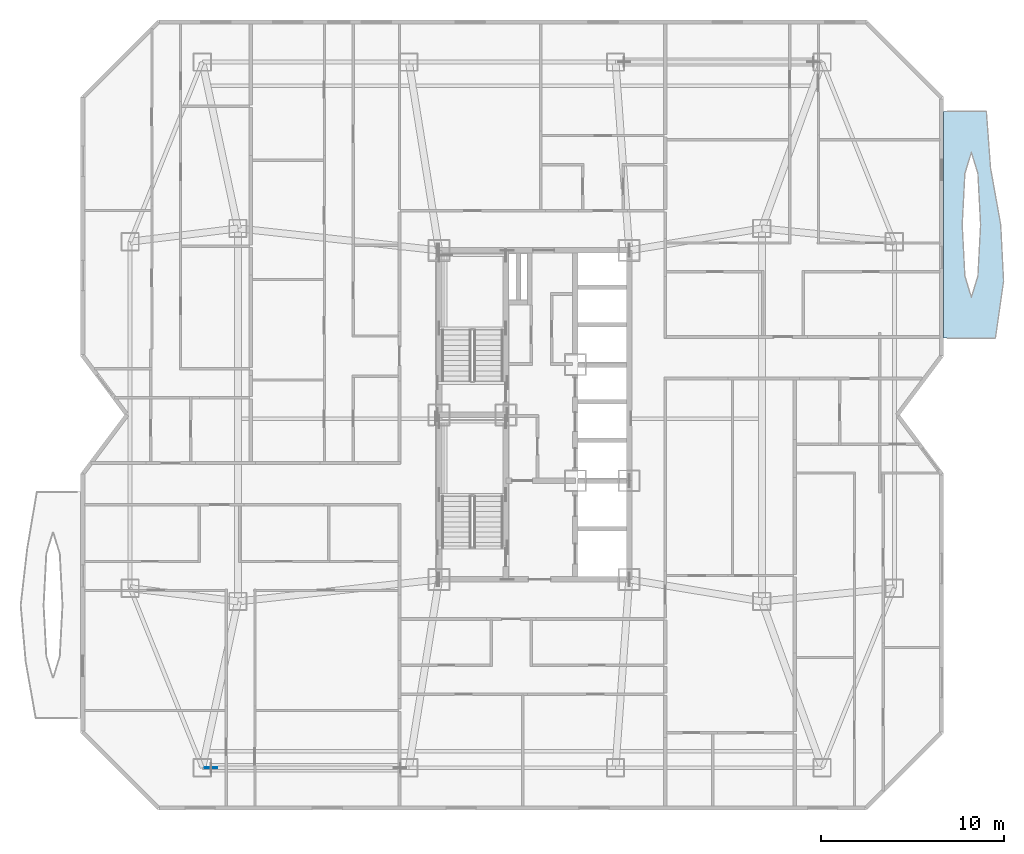
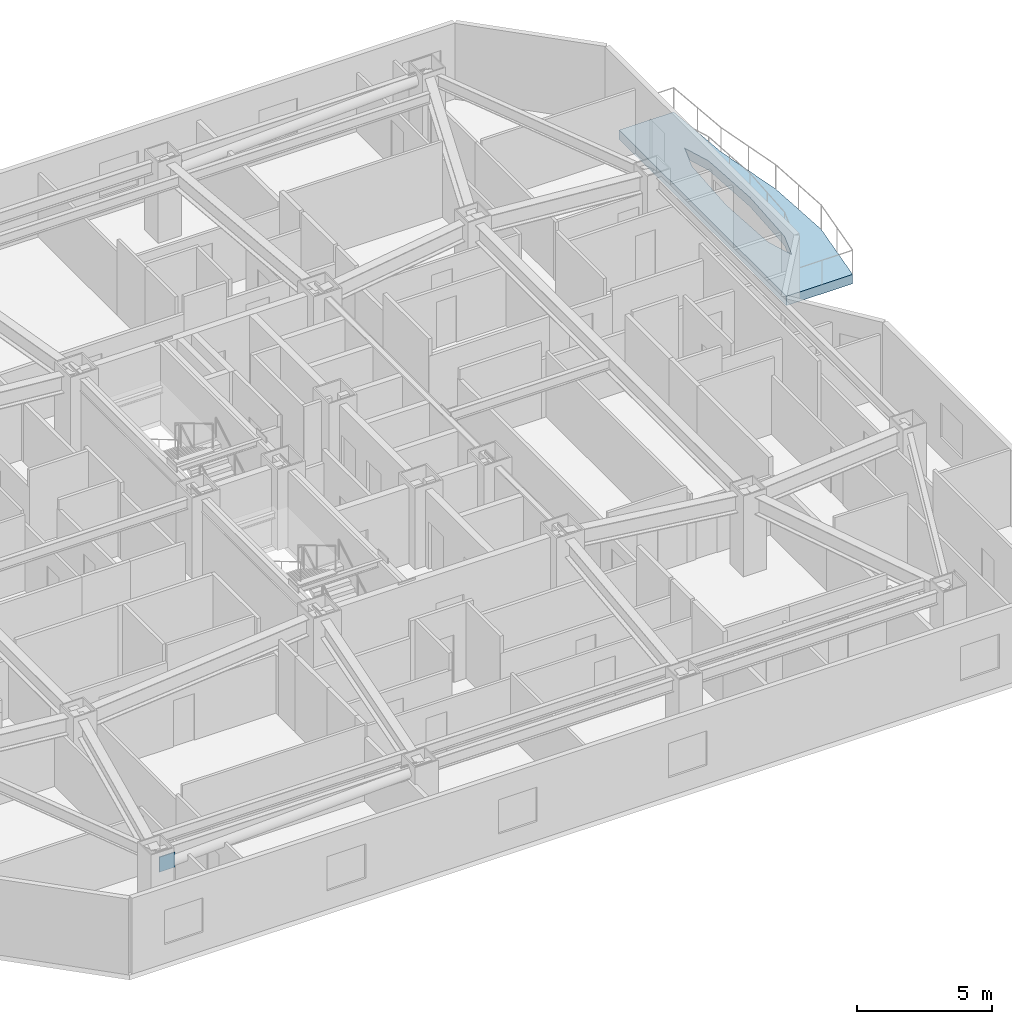
# One storey, part 4 of 15: 1 plate, 1 slab.
"""IFC4 building model written with IfcOpenShell, lengths in metres."""

from ifc_helpers import new_model, si_unit, direction, frame, origin, origin_2d, place, context, subcontext, project, spatial, polyline, rectangle, outline, extrude, material, layer, layer_set, type_object, element, save


model = new_model("IFC4")

# Units and contexts
model_context = context("Model", 3, precision=1e-05, world=origin(), true_north=direction((0.0, 1.0)))
body_context = subcontext(model_context, "Body", "Model", "MODEL_VIEW")
ifc_project = project(units=[si_unit("LENGTHUNIT", "METRE"), si_unit("AREAUNIT", "SQUARE_METRE"), si_unit("VOLUMEUNIT", "CUBIC_METRE"), si_unit("PLANEANGLEUNIT", "RADIAN"), si_unit("MASSUNIT", "GRAM", prefix="KILO")], contexts=[model_context])

# Site, building, storey
site_placement = place(None, origin())
site = spatial("IfcSite", under=ifc_project, at=site_placement, CompositionType="ELEMENT")
building_placement = place(site_placement, origin())
building = spatial("IfcBuilding", under=site, at=building_placement, Name="Khamvora Tower", CompositionType="ELEMENT")
storey_placement = place(building_placement, frame((0.0, 0.0, 112.85009765625)))
storey = spatial("IfcBuildingStorey", under=building, at=storey_placement, Name="L28", CompositionType="ELEMENT", Elevation=112.85009765625)

# Plate
ifc_material_1 = material(Name="Steel S460", Category="steel")
ifc_layer_1 = layer(ifc_material_1, 0.0400390625)
ifc_layer_set_1 = layer_set([ifc_layer_1], Name="Steel S460")
plate_type = type_object("IfcPlateType", Name="PLT-GUS-40", PredefinedType="SHEET", material=ifc_layer_set_1)
plate_placement = place(storey_placement, frame((16.530029296875, 8.699951171875, 2.35986328125), z_axis=(0.0, 0.0, 1.0), x_axis=(1.0, 0.0, 0.0)))
element("IfcPlate", 1, at=plate_placement, inside=storey, type_object=plate_type, Name="L28 brace connection node gusset plate 0189", PredefinedType="SHEET", context=body_context, shape_type="SweptSolid", body=[
    extrude(rectangle(XDim=0.679931640625, YDim=0.0400390625, at=origin_2d()), origin(), (0.0, 0.0, 1.0), 0.679931640625),
])

# Slab
ifc_material_2 = material(Name="Concrete C40/50", Category="concrete")
ifc_layer_2 = layer(ifc_material_2, 0.419921875)
ifc_layer_set_2 = layer_set([ifc_layer_2], Name="Concrete C40/50")
slab_type = type_object("IfcSlabType", Name="SLB-GRD-420", PredefinedType="FLOOR", material=ifc_layer_set_2)
slab_placement = place(storey_placement, frame((0.0, 0.0, -0.420166015625)))
element("IfcSlab", 2, at=slab_placement, inside=storey, type_object=slab_type, Name="L28 external lens gallery slab EL2", PredefinedType="FLOOR", context=body_context, shape_type="SweptSolid", body=[
    extrude(outline(polyline([(59.427001953125, 32.199951171875), (59.875, 35.300048828125), (59.718017578125, 38.39990234375), (59.162109375, 41.5), (58.93310546875, 44.60009765625), (56.60009765625, 44.60009765625), (56.60009765625, 32.199951171875), (59.427001953125, 32.199951171875)]), holes=[polyline([(58.618896484375, 38.39990234375), (58.470947265625, 41.2060546875), (58.114990234375, 42.367919921875), (57.759033203125, 41.2060546875), (57.611083984375, 38.39990234375), (57.759033203125, 35.593994140625), (58.114990234375, 34.431884765625), (58.470947265625, 35.593994140625), (58.618896484375, 38.39990234375)])]), origin(), (0.0, 0.0, 1.0), 0.420166015625),
])

save(model, "model.ifc")
